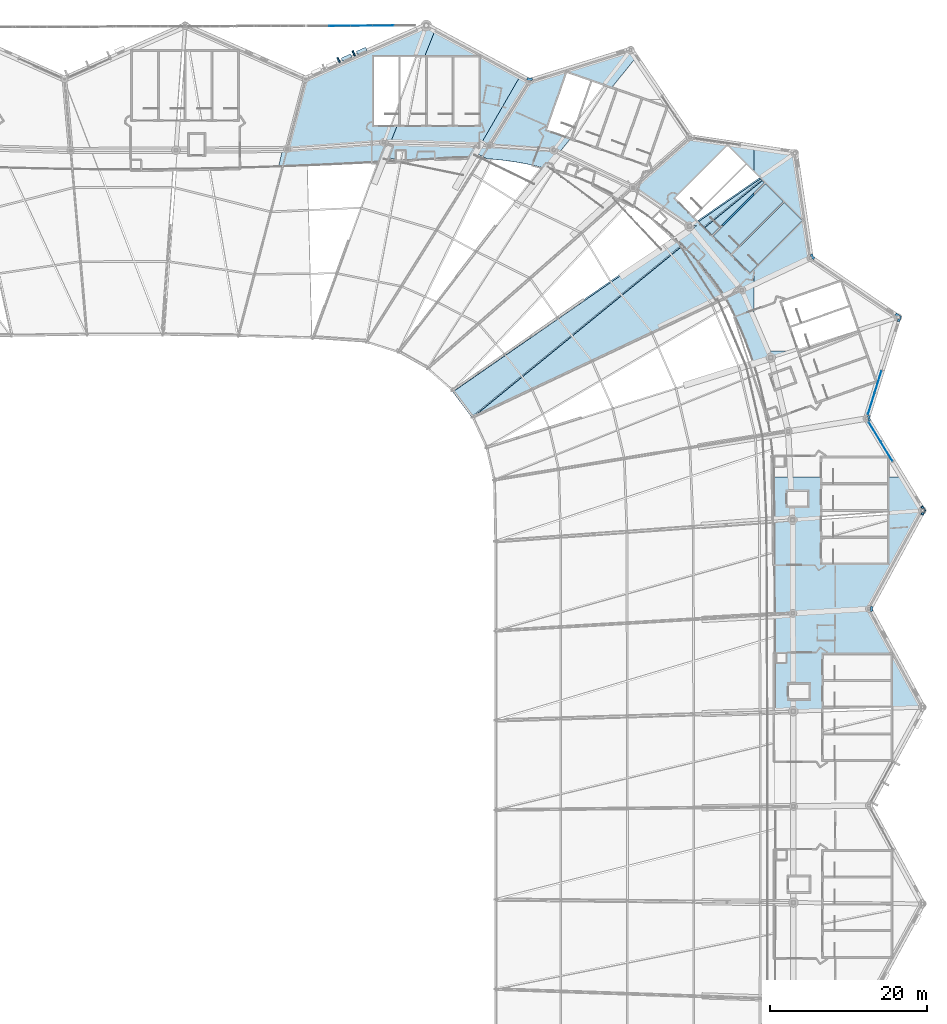
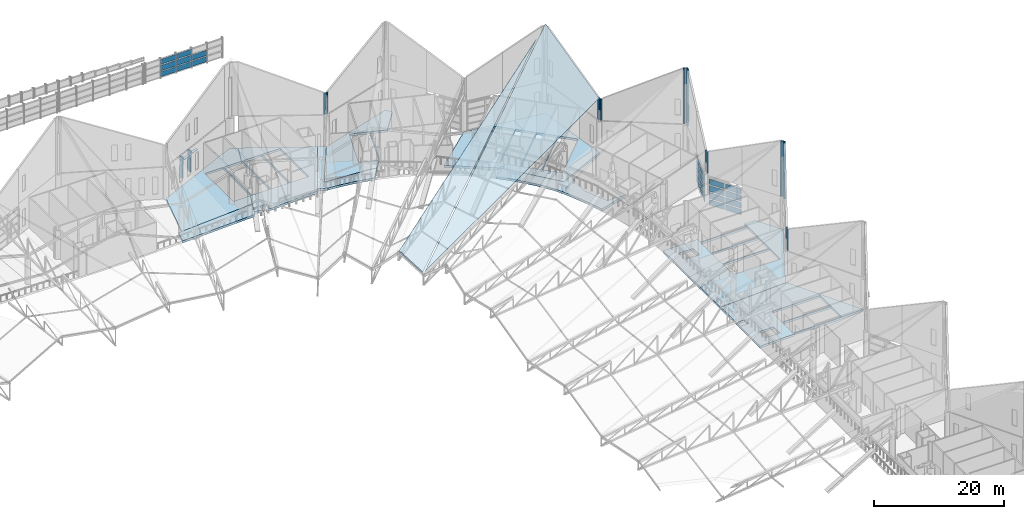
# One storey, part 240 of 344: 34 plates, 13 slabs, 3 elements without a shape of their own.
"""IFC4 building model written with IfcOpenShell, lengths in metres."""

import ifcopenshell
import ifcopenshell.guid

model = None  # the IFC model being written
_history = None  # IfcOwnerHistory: only IFC2X3 demands one
_inside = {}  # id of a spatial element -> (the spatial element, [elements in it])
_under = {}  # id of a project, library or spatial element -> (it, [spatial elements below it])
_declared = {}  # id of a project -> (the project, [libraries it declares])
_typed = {}  # id of a type object -> (the type object, [elements of that type])
_made_of = {}  # id of a material, layer set ... -> (it, [elements and type objects made of it])


def new_model(schema):
    """Start an empty IFC model of exactly this schema.

    Asked for "IFC4X3", IfcOpenShell would pick the latest addendum, in which some entities
    have other attributes; the version numbers below select the first issue.
    IFC2X3 requires an IfcOwnerHistory on every rooted entity: one is made here for all.
    """
    global model, _history
    if schema == "IFC4X3":
        model = ifcopenshell.file(schema_version=(4, 3, 0, 0))
    else:
        model = ifcopenshell.file(schema=schema)
    _inside.clear()
    _under.clear()
    _declared.clear()
    _typed.clear()
    _made_of.clear()
    _history = None
    if model.schema == "IFC2X3":
        org = make("IfcOrganization", Name="unknown")
        user = make(
            "IfcPersonAndOrganization",
            ThePerson=make("IfcPerson", FamilyName="unknown"),
            TheOrganization=org,
        )
        app = make(
            "IfcApplication",
            ApplicationDeveloper=org,
            Version="unknown",
            ApplicationFullName="unknown",
            ApplicationIdentifier="unknown",
        )
        _history = make(
            "IfcOwnerHistory",
            OwningUser=user,
            OwningApplication=app,
            ChangeAction="ADDED",
            CreationDate=0,
        )
    return model


def make(cls, **values):
    """One entity of the class cls with the attributes given. An attribute that is None is left unset."""
    return model.create_entity(
        cls, **{name: value for name, value in values.items() if value is not None}
    )


def rooted(cls, **values):
    """An entity with a GlobalId (a new one), such as an element, a storey or a relation."""
    return make(cls, GlobalId=ifcopenshell.guid.new(), OwnerHistory=_history, **values)


def si_unit(unit_type, name, prefix=None):
    """IfcSIUnit, for example si_unit("LENGTHUNIT", "METRE", prefix="MILLI")."""
    return make("IfcSIUnit", UnitType=unit_type, Prefix=prefix, Name=name)


def assignment(units):
    """IfcUnitAssignment: the units of a project."""
    return None if units is None else make("IfcUnitAssignment", Units=units)


def point(xyz):
    """IfcCartesianPoint."""
    return None if xyz is None else make("IfcCartesianPoint", Coordinates=xyz)


def direction(xyz):
    """IfcDirection."""
    return None if xyz is None else make("IfcDirection", DirectionRatios=xyz)


def frame(location, z_axis=None, x_axis=None):
    """IfcAxis2Placement3D, a coordinate frame: its origin and axes. An axis left out is left unset."""
    return make(
        "IfcAxis2Placement3D",
        Location=point(location),
        Axis=direction(z_axis),
        RefDirection=direction(x_axis),
    )


def frame_2d(location, x_axis=None):
    """IfcAxis2Placement2D, a coordinate frame in the plane: its origin and x axis."""
    return make(
        "IfcAxis2Placement2D", Location=point(location), RefDirection=direction(x_axis)
    )


def origin():
    """The frame at (0, 0, 0) with its axes left unset."""
    return frame((0.0, 0.0, 0.0))


def origin_2d():
    """The frame at (0, 0) in the plane with its x axis left unset."""
    return frame_2d((0.0, 0.0))


def place(relative_to, where):
    """IfcLocalPlacement: puts the frame where relative to a parent placement (None: the world)."""
    return make(
        "IfcLocalPlacement", PlacementRelTo=relative_to, RelativePlacement=where
    )


def context(
    kind, dimensions, precision=None, world=None, true_north=None, identifier=None
):
    """IfcGeometricRepresentationContext, for example the 3D "Model" context."""
    return make(
        "IfcGeometricRepresentationContext",
        ContextIdentifier=identifier,
        ContextType=kind,
        CoordinateSpaceDimension=dimensions,
        Precision=precision,
        WorldCoordinateSystem=world,
        TrueNorth=true_north,
    )


def subcontext(parent, identifier, kind, view, scale=None):
    """IfcGeometricRepresentationSubContext, for example "Body" below "Model"."""
    return make(
        "IfcGeometricRepresentationSubContext",
        ContextIdentifier=identifier,
        ContextType=kind,
        ParentContext=parent,
        TargetScale=scale,
        TargetView=view,
    )


def project(units=None, contexts=None):
    """IfcProject with its units and contexts."""
    return rooted(
        "IfcProject",
        Name="project",
        RepresentationContexts=contexts,
        UnitsInContext=assignment(units),
    )


def spatial(cls, under=None, at=None, **own):
    """A site, building, storey or space (cls), placed at a placement, below another one or the project."""
    s = rooted(cls, ObjectPlacement=at, **own)
    if under is not None:
        _under.setdefault(under.id(), (under, []))[1].append(s)
    return s


def polyline(points):
    """IfcPolyline through the points."""
    return make("IfcPolyline", Points=[point(p) for p in points])


def profile(cls, at=None, kind="AREA", **sizes):
    """A parametric profile (cls). Its sizes go by their IFC names, for example OverallWidth=200.0."""
    return make(cls, ProfileType=kind, Position=at, **sizes)


def rectangle(**sizes):
    """IfcRectangleProfileDef."""
    return profile("IfcRectangleProfileDef", **sizes)


def outline(outer, holes=None, kind="AREA"):
    """IfcArbitraryClosedProfileDef: a profile drawn as a closed curve; with holes, ...WithVoids."""
    if holes is None:
        return make("IfcArbitraryClosedProfileDef", ProfileType=kind, OuterCurve=outer)
    return make(
        "IfcArbitraryProfileDefWithVoids",
        ProfileType=kind,
        OuterCurve=outer,
        InnerCurves=holes,
    )


def extrude(swept, where, along, depth):
    """IfcExtrudedAreaSolid: the profile swept, set in the frame where, extruded along a direction by depth."""
    return make(
        "IfcExtrudedAreaSolid",
        SweptArea=swept,
        Position=where,
        ExtrudedDirection=direction(along),
        Depth=depth,
    )


def shape(context_of_items, identifier, shape_type, items):
    """IfcShapeRepresentation: the items that make up one representation, for example the "Body"."""
    return make(
        "IfcShapeRepresentation",
        ContextOfItems=context_of_items,
        RepresentationIdentifier=identifier,
        RepresentationType=shape_type,
        Items=items,
    )


def material(Name=None, Category=None):
    """IfcMaterial."""
    return make("IfcMaterial", Name=Name, Category=Category)


def layer(
    of_material, thickness, ventilated=None, Name=None, Category=None, Priority=None
):
    """IfcMaterialLayer: one layer of a wall or slab, of a material (None: an air gap)."""
    return make(
        "IfcMaterialLayer",
        Material=of_material,
        LayerThickness=thickness,
        IsVentilated=ventilated,
        Name=Name,
        Category=Category,
        Priority=Priority,
    )


def layer_set(layers, Name=None):
    """IfcMaterialLayerSet."""
    return make("IfcMaterialLayerSet", MaterialLayers=layers, LayerSetName=Name)


def made_of(thing, what):
    """Note that an element or type object is made of a material, layer set ...; save() writes the relation."""
    if what is not None:
        _made_of.setdefault(what.id(), (what, []))[1].append(thing)
    return thing


def type_object(cls, material=None, **own):
    """A type object (cls), such as IfcWallType, which elements share."""
    return made_of(rooted(cls, **own), material)


def element(
    cls,
    number,
    at=None,
    inside=None,
    cuts=None,
    type_object=None,
    material=None,
    context=None,
    identifier="Body",
    shape_type=None,
    held_by="IfcProductDefinitionShape",
    body=None,
    shapes=None,
    **own,
):
    """One element of the class cls, such as IfcWall. Its Tag is "e" and its number.

    at: its placement. inside: the storey or other place that contains it. cuts: it is an
    opening in that element (IfcRelVoidsElement). A single representation is given by context,
    identifier, shape_type and body (its items); several are given by shapes. held_by: the class
    of the entity that holds the representations. save() writes the other relations.
    """
    e = rooted(cls, Tag="e%d" % number, ObjectPlacement=at, **own)
    if body is not None:
        shapes = [shape(context, identifier, shape_type, body)]
    if shapes is not None:
        e.Representation = make(held_by, Representations=shapes)
    if inside is not None:
        _inside.setdefault(inside.id(), (inside, []))[1].append(e)
    if cuts is not None:
        rooted(
            "IfcRelVoidsElement", RelatingBuildingElement=cuts, RelatedOpeningElement=e
        )
    if type_object is not None:
        _typed.setdefault(type_object.id(), (type_object, []))[1].append(e)
    return made_of(e, material)


def aggregate(whole, parts):
    """IfcRelAggregates: a whole, such as a stair, and the parts it consists of."""
    return rooted("IfcRelAggregates", RelatingObject=whole, RelatedObjects=parts)


def save(model, path):
    """Write the relations noted so far, then the file.

    IfcRelAggregates (storeys below a building ...), IfcRelContainedInSpatialStructure (elements
    in a storey), IfcRelDefinesByType, IfcRelAssociatesMaterial and IfcRelDeclares: one each for
    every whole, place, type object, material and project.
    """
    for whole, parts in _under.values():
        aggregate(whole, parts)
    for where, things in _inside.values():
        rooted(
            "IfcRelContainedInSpatialStructure",
            RelatedElements=things,
            RelatingStructure=where,
        )
    for kind, things in _typed.values():
        rooted("IfcRelDefinesByType", RelatedObjects=things, RelatingType=kind)
    for what, things in _made_of.values():
        rooted("IfcRelAssociatesMaterial", RelatedObjects=things, RelatingMaterial=what)
    for by, libraries in _declared.values():
        rooted("IfcRelDeclares", RelatingContext=by, RelatedDefinitions=libraries)
    model.write(path)


model = new_model("IFC4")

# Units and contexts
model_context = context("Model", 3, precision=1e-05, world=origin(), true_north=direction((0.0, 1.0)))
body_context = subcontext(model_context, "Body", "Model", "MODEL_VIEW")
ifc_project = project(units=[si_unit("LENGTHUNIT", "METRE"), si_unit("AREAUNIT", "SQUARE_METRE"), si_unit("VOLUMEUNIT", "CUBIC_METRE"), si_unit("PLANEANGLEUNIT", "RADIAN"), si_unit("MASSUNIT", "GRAM", prefix="KILO")], contexts=[model_context])

# Site, building, storey
site_placement = place(None, origin())
site = spatial("IfcSite", under=ifc_project, at=site_placement, CompositionType="ELEMENT")
building_placement = place(site_placement, origin())
building = spatial("IfcBuilding", under=site, at=building_placement, Name="Meseta Stadium", CompositionType="ELEMENT")
storey_placement = place(building_placement, frame((0.0, 0.0, 24.0)))
storey = spatial("IfcBuildingStorey", under=building, at=storey_placement, Name="L04", CompositionType="ELEMENT", Elevation=24.0)

# Curtain wall, plates
ifc_material_1 = material(Name="Steel S355", Category="steel")
ifc_layer_1 = layer(ifc_material_1, 0.300048828125)
ifc_layer_set_1 = layer_set([ifc_layer_1], Name="Valley atrium curtain wall")
curtain_wall_type_1 = type_object("IfcCurtainWallType", Name="Valley atrium curtain wall", PredefinedType="NOTDEFINED", material=ifc_layer_set_1)
curtain_wall_1_placement = place(storey_placement, origin())
curtain_wall_1 = element("IfcCurtainWall", 1, at=curtain_wall_1_placement, inside=storey, type_object=curtain_wall_type_1, Name="Valley atrium glazing F08", PredefinedType="NOTDEFINED")
ifc_material_2 = material(Name="Glass", Category="glass")
ifc_layer_2 = layer(ifc_material_2, 0.035888671875)
ifc_layer_set_2 = layer_set([ifc_layer_2], Name="CW glass panel 36")
plate_type_1 = type_object("IfcPlateType", Name="CW glass panel 36", PredefinedType="CURTAIN_PANEL", material=ifc_layer_set_2)
plate_1_placement = place(storey_placement, frame((96.845458984375, 51.243896484375, 0.199951171875), z_axis=(0.0, 0.0, 1.0), x_axis=(-0.519362172313, 0.854554231147, 0.0)))
plate_1 = element("IfcPlate", 2, at=plate_1_placement, type_object=plate_type_1, Name="CWA panel 1.1", PredefinedType="CURTAIN_PANEL", context=body_context, shape_type="SweptSolid", body=[
    extrude(rectangle(XDim=2.77490234375, YDim=0.035888671875, at=origin_2d()), origin(), (0.0, 0.0, 1.0), 1.03759765625),
])
plate_2_placement = place(storey_placement, frame((96.845458984375, 51.243896484375, 1.4375), z_axis=(0.0, 0.0, 1.0), x_axis=(-0.519362172313, 0.854554231147, 0.0)))
plate_2 = element("IfcPlate", 3, at=plate_2_placement, type_object=plate_type_1, Name="CWA panel 1.2", PredefinedType="CURTAIN_PANEL", context=body_context, shape_type="SweptSolid", body=[
    extrude(rectangle(XDim=2.77490234375, YDim=0.035888671875, at=origin_2d()), origin(), (0.0, 0.0, 1.0), 1.137451171875),
])
plate_3_placement = place(storey_placement, frame((96.845458984375, 51.243896484375, 2.77490234375), z_axis=(0.0, 0.0, 1.0), x_axis=(-0.519362172313, 0.854554231147, 0.0)))
plate_3 = element("IfcPlate", 4, at=plate_3_placement, type_object=plate_type_1, Name="CWA panel 1.3", PredefinedType="CURTAIN_PANEL", context=body_context, shape_type="SweptSolid", body=[
    extrude(rectangle(XDim=2.77490234375, YDim=0.035888671875, at=origin_2d()), origin(), (0.0, 0.0, 1.0), 1.137451171875),
])
plate_4_placement = place(storey_placement, frame((96.845458984375, 51.243896484375, 4.112548828125), z_axis=(0.0, 0.0, 1.0), x_axis=(-0.519362172313, 0.854554231147, 0.0)))
plate_4 = element("IfcPlate", 5, at=plate_4_placement, type_object=plate_type_1, Name="CWA panel 1.4", PredefinedType="CURTAIN_PANEL", context=body_context, shape_type="SweptSolid", body=[
    extrude(rectangle(XDim=2.77490234375, YDim=0.035888671875, at=origin_2d()), origin(), (0.0, 0.0, 1.0), 1.03759765625),
])
plate_5_placement = place(storey_placement, frame((95.326416015625, 53.743408203125, 0.199951171875), z_axis=(0.0, 0.0, 1.0), x_axis=(-0.519362172313, 0.854554231147, 0.0)))
plate_5 = element("IfcPlate", 6, at=plate_5_placement, type_object=plate_type_1, Name="CWA panel 2.1", PredefinedType="CURTAIN_PANEL", context=body_context, shape_type="SweptSolid", body=[
    extrude(rectangle(XDim=2.77490234375, YDim=0.035888671875, at=origin_2d()), origin(), (0.0, 0.0, 1.0), 1.03759765625),
])
plate_6_placement = place(storey_placement, frame((95.326416015625, 53.743408203125, 1.4375), z_axis=(0.0, 0.0, 1.0), x_axis=(-0.519362172313, 0.854554231147, 0.0)))
plate_6 = element("IfcPlate", 7, at=plate_6_placement, type_object=plate_type_1, Name="CWA panel 2.2", PredefinedType="CURTAIN_PANEL", context=body_context, shape_type="SweptSolid", body=[
    extrude(rectangle(XDim=2.77490234375, YDim=0.035888671875, at=origin_2d()), origin(), (0.0, 0.0, 1.0), 1.137451171875),
])
plate_7_placement = place(storey_placement, frame((95.326416015625, 53.743408203125, 2.77490234375), z_axis=(0.0, 0.0, 1.0), x_axis=(-0.519362172313, 0.854554231147, 0.0)))
plate_7 = element("IfcPlate", 8, at=plate_7_placement, type_object=plate_type_1, Name="CWA panel 2.3", PredefinedType="CURTAIN_PANEL", context=body_context, shape_type="SweptSolid", body=[
    extrude(rectangle(XDim=2.77490234375, YDim=0.035888671875, at=origin_2d()), origin(), (0.0, 0.0, 1.0), 1.137451171875),
])
plate_8_placement = place(storey_placement, frame((95.326416015625, 53.743408203125, 4.112548828125), z_axis=(0.0, 0.0, 1.0), x_axis=(-0.519362172313, 0.854554231147, 0.0)))
plate_8 = element("IfcPlate", 9, at=plate_8_placement, type_object=plate_type_1, Name="CWA panel 2.4", PredefinedType="CURTAIN_PANEL", context=body_context, shape_type="SweptSolid", body=[
    extrude(rectangle(XDim=2.77490234375, YDim=0.035888671875, at=origin_2d()), origin(), (0.0, 0.0, 1.0), 1.03759765625),
])
aggregate(curtain_wall_1, [plate_1, plate_2, plate_3, plate_4, plate_5, plate_6, plate_7, plate_8])

curtain_wall_2_placement = place(storey_placement, origin())
curtain_wall_2 = element("IfcCurtainWall", 10, at=curtain_wall_2_placement, inside=storey, type_object=curtain_wall_type_1, Name="Valley atrium glazing F09", PredefinedType="NOTDEFINED")
plate_9_placement = place(storey_placement, frame((94.88427734375, 57.33935546875, 0.199951171875), z_axis=(0.0, 0.0, 1.0), x_axis=(0.296868987995, 0.95491821847, 0.0)))
plate_9 = element("IfcPlate", 11, at=plate_9_placement, type_object=plate_type_1, Name="CWA panel 1.1", PredefinedType="CURTAIN_PANEL", context=body_context, shape_type="SweptSolid", body=[
    extrude(rectangle(XDim=2.77490234375, YDim=0.035888671875, at=origin_2d()), origin(), (0.0, 0.0, 1.0), 1.03759765625),
])
plate_10_placement = place(storey_placement, frame((94.88427734375, 57.33935546875, 1.4375), z_axis=(0.0, 0.0, 1.0), x_axis=(0.296868987995, 0.95491821847, 0.0)))
plate_10 = element("IfcPlate", 12, at=plate_10_placement, type_object=plate_type_1, Name="CWA panel 1.2", PredefinedType="CURTAIN_PANEL", context=body_context, shape_type="SweptSolid", body=[
    extrude(rectangle(XDim=2.77490234375, YDim=0.035888671875, at=origin_2d()), origin(), (0.0, 0.0, 1.0), 1.137451171875),
])
plate_11_placement = place(storey_placement, frame((94.88427734375, 57.33935546875, 2.77490234375), z_axis=(0.0, 0.0, 1.0), x_axis=(0.296868987995, 0.95491821847, 0.0)))
plate_11 = element("IfcPlate", 13, at=plate_11_placement, type_object=plate_type_1, Name="CWA panel 1.3", PredefinedType="CURTAIN_PANEL", context=body_context, shape_type="SweptSolid", body=[
    extrude(rectangle(XDim=2.77490234375, YDim=0.035888671875, at=origin_2d()), origin(), (0.0, 0.0, 1.0), 1.137451171875),
])
plate_12_placement = place(storey_placement, frame((94.88427734375, 57.33935546875, 4.112548828125), z_axis=(0.0, 0.0, 1.0), x_axis=(0.296868987995, 0.95491821847, 0.0)))
plate_12 = element("IfcPlate", 14, at=plate_12_placement, type_object=plate_type_1, Name="CWA panel 1.4", PredefinedType="CURTAIN_PANEL", context=body_context, shape_type="SweptSolid", body=[
    extrude(rectangle(XDim=2.77490234375, YDim=0.035888671875, at=origin_2d()), origin(), (0.0, 0.0, 1.0), 1.03759765625),
])
plate_13_placement = place(storey_placement, frame((95.752685546875, 60.13232421875, 0.199951171875), z_axis=(0.0, 0.0, 1.0), x_axis=(0.296868987995, 0.95491821847, 0.0)))
plate_13 = element("IfcPlate", 15, at=plate_13_placement, type_object=plate_type_1, Name="CWA panel 2.1", PredefinedType="CURTAIN_PANEL", context=body_context, shape_type="SweptSolid", body=[
    extrude(rectangle(XDim=2.77490234375, YDim=0.035888671875, at=origin_2d()), origin(), (0.0, 0.0, 1.0), 1.03759765625),
])
plate_14_placement = place(storey_placement, frame((95.752685546875, 60.13232421875, 1.4375), z_axis=(0.0, 0.0, 1.0), x_axis=(0.296868987995, 0.95491821847, 0.0)))
plate_14 = element("IfcPlate", 16, at=plate_14_placement, type_object=plate_type_1, Name="CWA panel 2.2", PredefinedType="CURTAIN_PANEL", context=body_context, shape_type="SweptSolid", body=[
    extrude(rectangle(XDim=2.77490234375, YDim=0.035888671875, at=origin_2d()), origin(), (0.0, 0.0, 1.0), 1.137451171875),
])
plate_15_placement = place(storey_placement, frame((95.752685546875, 60.13232421875, 2.77490234375), z_axis=(0.0, 0.0, 1.0), x_axis=(0.296868987995, 0.95491821847, 0.0)))
plate_15 = element("IfcPlate", 17, at=plate_15_placement, type_object=plate_type_1, Name="CWA panel 2.3", PredefinedType="CURTAIN_PANEL", context=body_context, shape_type="SweptSolid", body=[
    extrude(rectangle(XDim=2.77490234375, YDim=0.035888671875, at=origin_2d()), origin(), (0.0, 0.0, 1.0), 1.137451171875),
])
plate_16_placement = place(storey_placement, frame((95.752685546875, 60.13232421875, 4.112548828125), z_axis=(0.0, 0.0, 1.0), x_axis=(0.296868987995, 0.95491821847, 0.0)))
plate_16 = element("IfcPlate", 18, at=plate_16_placement, type_object=plate_type_1, Name="CWA panel 2.4", PredefinedType="CURTAIN_PANEL", context=body_context, shape_type="SweptSolid", body=[
    extrude(rectangle(XDim=2.77490234375, YDim=0.035888671875, at=origin_2d()), origin(), (0.0, 0.0, 1.0), 1.03759765625),
])
aggregate(curtain_wall_2, [plate_9, plate_10, plate_11, plate_12, plate_13, plate_14, plate_15, plate_16])

ifc_material_3 = material(Name="Aluminium", Category="aluminium")
ifc_layer_3 = layer(ifc_material_3, 0.199951171875)
ifc_layer_set_3 = layer_set([ifc_layer_3], Name="Gable glazing curtain wall")
curtain_wall_type_2 = type_object("IfcCurtainWallType", Name="Gable glazing curtain wall", PredefinedType="NOTDEFINED", material=ifc_layer_set_3)
curtain_wall_3_placement = place(storey_placement, origin())
curtain_wall_3 = element("IfcCurtainWall", 19, at=curtain_wall_3_placement, inside=storey, type_object=curtain_wall_type_2, Name="Gable glazing north lower bay 01", PredefinedType="NOTDEFINED")
plate_17_placement = place(storey_placement, frame((32.851806640625, 105.37890625, 17.75), z_axis=(0.0, 0.0, 1.0), x_axis=(-0.999992598213, -0.003847534181, 0.0)))
plate_17 = element("IfcPlate", 20, at=plate_17_placement, type_object=plate_type_1, Name="CWG panel 2.1", PredefinedType="CURTAIN_PANEL", context=body_context, shape_type="SweptSolid", body=[
    extrude(rectangle(XDim=2.706298828125, YDim=0.035888671875, at=origin_2d()), origin(), (0.0, 0.0, 1.0), 0.986572265625),
])
plate_18_placement = place(storey_placement, frame((32.851806640625, 105.37890625, 18.88671875), z_axis=(0.0, 0.0, 1.0), x_axis=(-0.999992598213, -0.003847534181, 0.0)))
plate_18 = element("IfcPlate", 21, at=plate_18_placement, type_object=plate_type_1, Name="CWG panel 2.2", PredefinedType="CURTAIN_PANEL", context=body_context, shape_type="SweptSolid", body=[
    extrude(rectangle(XDim=2.706298828125, YDim=0.035888671875, at=origin_2d()), origin(), (0.0, 0.0, 1.0), 1.061767578125),
])
plate_19_placement = place(storey_placement, frame((30.08544921875, 105.3681640625, 17.75), z_axis=(0.0, 0.0, 1.0), x_axis=(-0.999992598213, -0.003847534181, 0.0)))
plate_19 = element("IfcPlate", 22, at=plate_19_placement, type_object=plate_type_1, Name="CWG panel 3.1", PredefinedType="CURTAIN_PANEL", context=body_context, shape_type="SweptSolid", body=[
    extrude(rectangle(XDim=2.706298828125, YDim=0.035888671875, at=origin_2d()), origin(), (0.0, 0.0, 1.0), 0.986572265625),
])
plate_20_placement = place(storey_placement, frame((30.08544921875, 105.3681640625, 18.88671875), z_axis=(0.0, 0.0, 1.0), x_axis=(-0.999992598213, -0.003847534181, 0.0)))
plate_20 = element("IfcPlate", 23, at=plate_20_placement, type_object=plate_type_1, Name="CWG panel 3.2", PredefinedType="CURTAIN_PANEL", context=body_context, shape_type="SweptSolid", body=[
    extrude(rectangle(XDim=2.706298828125, YDim=0.035888671875, at=origin_2d()), origin(), (0.0, 0.0, 1.0), 1.061767578125),
])
plate_21_placement = place(storey_placement, frame((30.08544921875, 105.3681640625, 20.09814453125), z_axis=(0.0, 0.0, 1.0), x_axis=(-0.999992598213, -0.003847534181, 0.0)))
plate_21 = element("IfcPlate", 24, at=plate_21_placement, type_object=plate_type_1, Name="CWG panel 3.3", PredefinedType="CURTAIN_PANEL", context=body_context, shape_type="SweptSolid", body=[
    extrude(rectangle(XDim=2.706298828125, YDim=0.035888671875, at=origin_2d()), origin(), (0.0, 0.0, 1.0), 0.986572265625),
])
plate_22_placement = place(storey_placement, frame((27.319091796875, 105.357666015625, 17.75), z_axis=(0.0, 0.0, 1.0), x_axis=(-0.999992598213, -0.003847534181, 0.0)))
plate_22 = element("IfcPlate", 25, at=plate_22_placement, type_object=plate_type_1, Name="CWG panel 4.1", PredefinedType="CURTAIN_PANEL", context=body_context, shape_type="SweptSolid", body=[
    extrude(rectangle(XDim=2.706298828125, YDim=0.035888671875, at=origin_2d()), origin(), (0.0, 0.0, 1.0), 0.986572265625),
])
plate_23_placement = place(storey_placement, frame((27.319091796875, 105.357666015625, 18.88671875), z_axis=(0.0, 0.0, 1.0), x_axis=(-0.999992598213, -0.003847534181, 0.0)))
plate_23 = element("IfcPlate", 26, at=plate_23_placement, type_object=plate_type_1, Name="CWG panel 4.2", PredefinedType="CURTAIN_PANEL", context=body_context, shape_type="SweptSolid", body=[
    extrude(rectangle(XDim=2.706298828125, YDim=0.035888671875, at=origin_2d()), origin(), (0.0, 0.0, 1.0), 1.061767578125),
])
plate_24_placement = place(storey_placement, frame((27.319091796875, 105.357666015625, 20.09814453125), z_axis=(0.0, 0.0, 1.0), x_axis=(-0.999992598213, -0.003847534181, 0.0)))
plate_24 = element("IfcPlate", 27, at=plate_24_placement, type_object=plate_type_1, Name="CWG panel 4.3", PredefinedType="CURTAIN_PANEL", context=body_context, shape_type="SweptSolid", body=[
    extrude(rectangle(XDim=2.706298828125, YDim=0.035888671875, at=origin_2d()), origin(), (0.0, 0.0, 1.0), 0.986572265625),
])
aggregate(curtain_wall_3, [plate_17, plate_18, plate_19, plate_20, plate_21, plate_22, plate_23, plate_24])

# Slabs
ifc_material_4 = material(Name="Concrete C40/50", Category="concrete")
ifc_layer_4 = layer(ifc_material_4, 0.39990234375)
ifc_layer_set_4 = layer_set([ifc_layer_4], Name="Floor slab 400")
slab_type_1 = type_object("IfcSlabType", Name="Floor slab 400", PredefinedType="FLOOR", material=ifc_layer_set_4)
slab_1_placement = place(storey_placement, frame((0.0, 0.0, -0.39990234375)))
element("IfcSlab", 28, at=slab_1_placement, inside=storey, type_object=slab_type_1, Name="Floor slab L04 sector 00 panel 05", PredefinedType="FLOOR", context=body_context, shape_type="SweptSolid", body=[
    extrude(outline(polyline([(94.70361328125, 31.059326171875), (82.53759765625, 30.392333984375), (82.56005859375, 24.32275390625), (82.577392578125, 18.24267578125), (88.800048828125, 18.447509765625), (88.800048828125, 18.64990234375), (94.9599609375, 18.64990234375), (101.340087890625, 18.85986328125), (94.70361328125, 31.059326171875)]), holes=[polyline([(84.39990234375, 19.800048828125), (84.39990234375, 21.699951171875), (87.0, 21.699951171875), (87.0, 19.800048828125), (84.39990234375, 19.800048828125)]), polyline([(84.050048828125, 25.60009765625), (84.050048828125, 24.39990234375), (82.85009765625, 24.39990234375), (82.85009765625, 25.60009765625), (84.050048828125, 25.60009765625)]), polyline([(88.800048828125, 22.050048828125), (97.39990234375, 22.050048828125), (97.39990234375, 18.85009765625), (88.800048828125, 18.85009765625), (88.800048828125, 22.050048828125)]), polyline([(88.800048828125, 25.449951171875), (97.39990234375, 25.449951171875), (97.39990234375, 22.25), (88.800048828125, 22.25), (88.800048828125, 25.449951171875)])]), origin(), (0.0, 0.0, 1.0), 0.39990234375),
])
slab_2_placement = place(storey_placement, frame((0.0, 0.0, -0.39990234375)))
element("IfcSlab", 29, at=slab_2_placement, inside=storey, type_object=slab_type_1, Name="Floor slab L04 sector 07 panel 03", PredefinedType="FLOOR", context=body_context, shape_type="SweptSolid", body=[
    extrude(outline(polyline([(80.94970703125, 80.0), (80.6669921875, 80.0), (77.0419921875, 76.375), (74.779296875, 78.6376953125), (76.141357421875, 80.0), (75.858642578125, 80.0), (74.6376953125, 78.779296875), (72.375, 81.0419921875), (79.02197265625, 87.688720703125), (80.0, 86.710693359375), (80.0, 89.94189453125), (71.856689453125, 91.15087890625), (64.6220703125, 84.79248046875), (71.775390625, 79.888916015625), (71.935791015625, 80.0), (72.741455078125, 80.0), (72.06103515625, 79.54052734375), (78.4453125, 71.756103515625), (80.0, 72.48828125), (80.0, 74.524658203125), (79.4462890625, 73.970947265625), (77.183349609375, 76.233642578125), (80.94970703125, 80.0)]), holes=[polyline([(69.970947265625, 83.4462890625), (76.61767578125, 90.093017578125), (78.880615234375, 87.830078125), (72.233642578125, 81.183349609375), (69.970947265625, 83.4462890625)])]), origin(), (0.0, 0.0, 1.0), 0.39990234375),
])
slab_3_placement = place(storey_placement, frame((0.0, 0.0, -0.39990234375)))
element("IfcSlab", 30, at=slab_3_placement, inside=storey, type_object=slab_type_1, Name="Floor slab L04 sector 07 panel 04", PredefinedType="FLOOR", context=body_context, shape_type="SweptSolid", body=[
    extrude(outline(polyline([(79.852783203125, 62.399658203125), (84.956787109375, 64.0), (81.772705078125, 64.0), (80.0, 68.13232421875), (80.0, 72.48828125), (78.4453125, 71.756103515625), (72.06103515625, 79.54052734375), (70.034423828125, 78.172607421875), (71.172119140625, 77.0810546875), (72.264892578125, 75.945068359375), (73.31103515625, 74.76611328125), (74.30859375, 73.546142578125), (75.256103515625, 72.287353515625), (76.15234375, 70.99169921875), (76.904296875, 69.6201171875), (77.5771484375, 68.21044921875), (78.208984375, 66.782470703125), (78.799072265625, 65.337158203125), (79.347412109375, 63.8759765625), (79.852783203125, 62.399658203125)])), origin(), (0.0, 0.0, 1.0), 0.39990234375),
])
slab_4_placement = place(storey_placement, frame((0.0, 0.0, -0.39990234375)))
element("IfcSlab", 31, at=slab_4_placement, inside=storey, type_object=slab_type_1, Name="Floor slab L04 sector 07 panel 05", PredefinedType="FLOOR", context=body_context, shape_type="SweptSolid", body=[
    extrude(outline(polyline([(75.858642578125, 80.0), (76.141357421875, 80.0), (80.0, 83.858642578125), (80.0, 84.141357421875), (75.858642578125, 80.0)])), origin(), (0.0, 0.0, 1.0), 0.39990234375),
])
slab_5_placement = place(storey_placement, frame((0.0, 0.0, -0.39990234375)))
element("IfcSlab", 32, at=slab_5_placement, inside=storey, type_object=slab_type_1, Name="Floor slab L04 sector 07 panel 06", PredefinedType="FLOOR", context=body_context, shape_type="SweptSolid", body=[
    extrude(outline(polyline([(86.093017578125, 80.61767578125), (80.0, 74.524658203125), (80.0, 72.48828125), (87.15087890625, 75.856689453125), (85.173583984375, 89.173583984375), (80.0, 89.94189453125), (80.0, 86.710693359375), (81.28466796875, 85.426025390625), (80.0, 84.141357421875), (80.0, 83.858642578125), (81.426025390625, 85.28466796875), (83.688720703125, 83.02197265625), (80.6669921875, 80.0), (80.94970703125, 80.0), (83.830078125, 82.880615234375), (86.093017578125, 80.61767578125)])), origin(), (0.0, 0.0, 1.0), 0.39990234375),
])
slab_6_placement = place(storey_placement, frame((0.0, 0.0, -0.39990234375)))
element("IfcSlab", 33, at=slab_6_placement, inside=storey, type_object=slab_type_1, Name="Floor slab L04 sector 07 panel 09", PredefinedType="FLOOR", context=body_context, shape_type="SweptSolid", body=[
    extrude(outline(polyline([(94.693115234375, 31.07861328125), (94.60009765625, 31.25), (101.39990234375, 43.75), (98.81689453125, 48.0), (97.0, 48.0), (97.0, 47.25), (88.60009765625, 47.25), (88.60009765625, 48.0), (82.44482421875, 48.0), (82.47802734375, 42.55859375), (82.5, 38.5068359375), (82.53759765625, 30.412353515625), (94.693115234375, 31.07861328125)]), holes=[polyline([(97.0, 37.050048828125), (88.60009765625, 37.050048828125), (88.60009765625, 40.25), (97.0, 40.25), (97.0, 37.050048828125)]), polyline([(88.60009765625, 40.449951171875), (88.60009765625, 43.64990234375), (97.0, 43.64990234375), (97.0, 40.449951171875), (88.60009765625, 40.449951171875)]), polyline([(97.0, 47.050048828125), (97.0, 43.85009765625), (88.60009765625, 43.85009765625), (88.60009765625, 47.050048828125), (97.0, 47.050048828125)]), polyline([(86.800048828125, 46.199951171875), (86.800048828125, 44.300048828125), (84.199951171875, 44.300048828125), (84.199951171875, 46.199951171875), (86.800048828125, 46.199951171875)])]), origin(), (0.0, 0.0, 1.0), 0.39990234375),
])
slab_7_placement = place(storey_placement, frame((0.0, 0.0, -0.39990234375)))
element("IfcSlab", 34, at=slab_7_placement, inside=storey, type_object=slab_type_1, Name="Floor slab L04 sector 14 panel 05", PredefinedType="FLOOR", context=body_context, shape_type="SweptSolid", body=[
    extrude(outline(polyline([(30.542236328125, 87.864013671875), (32.769287109375, 87.978759765625), (33.779541015625, 90.524658203125), (32.944091796875, 90.551025390625), (20.649658203125, 89.65625), (20.059814453125, 89.651611328125), (19.518310546875, 87.37744140625), (21.70947265625, 87.461669921875), (23.906982421875, 87.552734375), (26.111328125, 87.650634765625), (28.322998046875, 87.75439453125), (30.542236328125, 87.864013671875)])), origin(), (0.0, 0.0, 1.0), 0.39990234375),
])
slab_8_placement = place(storey_placement, frame((0.0, 0.0, -0.39990234375)))
element("IfcSlab", 35, at=slab_8_placement, inside=storey, type_object=slab_type_1, Name="Floor slab L04 sector 14 panel 06", PredefinedType="FLOOR", context=body_context, shape_type="SweptSolid", body=[
    extrude(outline(polyline([(38.09521484375, 101.39990234375), (39.443603515625, 104.798095703125), (38.333251953125, 105.39990234375), (23.0, 98.60009765625), (20.649658203125, 89.65625), (32.944091796875, 90.551025390625), (33.779541015625, 90.524658203125), (34.642822265625, 92.699951171875), (31.63330078125, 92.699951171875), (31.63330078125, 101.39990234375), (34.833251953125, 101.39990234375), (34.833251953125, 93.179931640625), (35.033203125, 93.683837890625), (35.033203125, 101.39990234375), (38.09521484375, 101.39990234375)])), origin(), (0.0, 0.0, 1.0), 0.39990234375),
])
slab_9_placement = place(storey_placement, frame((0.0, 0.0, -0.39990234375)))
element("IfcSlab", 36, at=slab_9_placement, inside=storey, type_object=slab_type_1, Name="Floor slab L04 sector 14 panel 07", PredefinedType="FLOOR", context=body_context, shape_type="SweptSolid", body=[
    extrude(outline(polyline([(32.769287109375, 87.978759765625), (32.980712890625, 88.511474609375), (33.06201171875, 88.67822265625), (34.4833984375, 88.388427734375), (34.4833984375, 89.501220703125), (35.683349609375, 89.501220703125), (35.683349609375, 88.301025390625), (34.912109375, 88.301025390625), (35.716552734375, 88.13720703125), (37.247802734375, 88.22119140625), (39.499267578125, 88.348388671875), (41.073486328125, 88.476806640625), (42.652099609375, 88.54150390625), (44.232177734375, 88.542236328125), (50.244384765625, 98.943359375), (39.443603515625, 104.798095703125), (38.09521484375, 101.39990234375), (38.2333984375, 101.39990234375), (38.2333984375, 92.699951171875), (35.033203125, 92.699951171875), (35.033203125, 93.683837890625), (34.833251953125, 93.179931640625), (34.833251953125, 92.699951171875), (34.642822265625, 92.699951171875), (32.769287109375, 87.978759765625)]), holes=[polyline([(38.433349609375, 92.699951171875), (38.433349609375, 101.39990234375), (41.63330078125, 101.39990234375), (41.63330078125, 92.699951171875), (38.433349609375, 92.699951171875)]), polyline([(41.833251953125, 92.699951171875), (41.833251953125, 101.39990234375), (45.033203125, 101.39990234375), (45.033203125, 92.699951171875), (41.833251953125, 92.699951171875)])]), origin(), (0.0, 0.0, 1.0), 0.39990234375),
])
slab_10_placement = place(storey_placement, frame((0.0, 0.0, -0.39990234375)))
element("IfcSlab", 37, at=slab_10_placement, inside=storey, type_object=slab_type_1, Name="Floor slab L04 sector 14 panel 08", PredefinedType="FLOOR", context=body_context, shape_type="SweptSolid", body=[
    extrude(outline(polyline([(44.232177734375, 88.542236328125), (44.232421875, 88.542236328125), (44.50439453125, 89.01318359375), (44.609619140625, 89.165771484375), (46.056396484375, 88.459716796875), (47.38671875, 88.352783203125), (48.95556640625, 88.162841796875), (50.515380859375, 87.90966796875), (52.06396484375, 87.593994140625), (53.58740234375, 87.21875), (55.224365234375, 89.246826171875), (54.523193359375, 89.579345703125), (46.333251953125, 90.126220703125), (51.44140625, 98.29443359375), (50.244384765625, 98.943359375), (44.232177734375, 88.542236328125)])), origin(), (0.0, 0.0, 1.0), 0.39990234375),
])
slab_11_placement = place(storey_placement, frame((0.0, 0.0, -0.39990234375)))
element("IfcSlab", 38, at=slab_11_placement, inside=storey, type_object=slab_type_1, Name="Floor slab L04 sector 14 panel 09", PredefinedType="FLOOR", context=body_context, shape_type="SweptSolid", body=[
    extrude(outline(polyline([(59.399169921875, 98.2841796875), (61.8310546875, 97.43310546875), (64.961669921875, 101.312255859375), (64.297607421875, 102.291015625), (51.44140625, 98.29443359375), (46.333251953125, 90.126220703125), (54.523193359375, 89.579345703125), (55.224365234375, 89.246826171875), (57.011962890625, 91.4619140625), (59.399169921875, 98.2841796875)]), holes=[polyline([(56.667236328125, 91.082275390625), (53.646728515625, 92.13916015625), (56.18994140625, 99.406982421875), (59.21044921875, 98.35009765625), (56.667236328125, 91.082275390625)])]), origin(), (0.0, 0.0, 1.0), 0.39990234375),
])

# Plates
ifc_material_5 = material(Name="White precast concrete C40/50", Category="concrete")
ifc_layer_5 = layer(ifc_material_5, 0.320068359375)
ifc_layer_set_5 = layer_set([ifc_layer_5], Name="Fold closer plate 320")
plate_type_2 = type_object("IfcPlateType", Name="Fold closer plate 320", PredefinedType="USERDEFINED", material=ifc_layer_set_5)
plate_25_placement = place(storey_placement, frame((0.0, 0.0, 6.0)))
element("IfcPlate", 39, at=plate_25_placement, inside=storey, type_object=plate_type_2, Name="Pleated fascia fold closer L04 F06", ObjectType="CLADDING", PredefinedType="USERDEFINED", context=body_context, shape_type="SweptSolid", body=[
    extrude(outline(polyline([(94.732666015625, 31.090087890625), (94.85009765625, 30.8740234375), (95.131103515625, 31.02685546875), (95.009765625, 31.25), (95.131103515625, 31.47314453125), (94.85009765625, 31.6259765625), (94.732666015625, 31.409912109375), (94.7529296875, 31.40966796875), (94.760009765625, 31.40087890625), (94.760009765625, 31.10009765625), (94.75390625, 31.0908203125), (94.732666015625, 31.090087890625)])), origin(), (0.0, 0.0, 1.0), 3.978515625),
])
plate_26_placement = place(storey_placement, frame((0.0, 0.0, 6.0)))
element("IfcPlate", 40, at=plate_26_placement, inside=storey, type_object=plate_type_2, Name="Pleated fascia fold closer L04 F07", ObjectType="CLADDING", PredefinedType="USERDEFINED", context=body_context, shape_type="SweptSolid", body=[
    extrude(outline(polyline([(101.331298828125, 43.5400390625), (101.1962890625, 43.291748046875), (101.477294921875, 43.138916015625), (101.815185546875, 43.760009765625), (101.4482421875, 44.36376953125), (101.1748046875, 44.197509765625), (101.319091796875, 43.9599609375), (101.60009765625, 43.9599609375), (101.6083984375, 43.95556640625), (101.610107421875, 43.549072265625), (101.607177734375, 43.54296875), (101.60009765625, 43.5400390625), (101.331298828125, 43.5400390625)])), origin(), (0.0, 0.0, 1.0), 10.436767578125),
])
plate_27_placement = place(storey_placement, frame((0.0, 0.0, 6.0)))
element("IfcPlate", 41, at=plate_27_placement, inside=storey, type_object=plate_type_2, Name="Pleated fascia fold closer L04 F08", ObjectType="CLADDING", PredefinedType="USERDEFINED", context=body_context, shape_type="SweptSolid", body=[
    extrude(outline(polyline([(94.4384765625, 55.281494140625), (94.56201171875, 55.078125), (94.83544921875, 55.244384765625), (94.686279296875, 55.48974609375), (94.771728515625, 55.76416015625), (94.46630859375, 55.859130859375), (94.385986328125, 55.6015625), (94.4453125, 55.601318359375), (94.4541015625, 55.593505859375), (94.454345703125, 55.29052734375), (94.44921875, 55.28271484375), (94.4384765625, 55.281494140625)])), origin(), (0.0, 0.0, 1.0), 3.9658203125),
])
plate_28_placement = place(storey_placement, frame((0.0, 0.0, 6.0)))
element("IfcPlate", 42, at=plate_28_placement, inside=storey, type_object=plate_type_2, Name="Pleated fascia fold closer L04 F09", ObjectType="CLADDING", PredefinedType="USERDEFINED", context=body_context, shape_type="SweptSolid", body=[
    extrude(outline(polyline([(98.714111328125, 68.445556640625), (98.07958984375, 68.8759765625), (97.89990234375, 68.611083984375), (98.0810546875, 68.48828125), (98.082275390625, 68.502197265625), (98.091064453125, 68.507568359375), (98.4912109375, 68.507568359375), (98.498291015625, 68.50439453125), (98.501220703125, 68.498291015625), (98.50048828125, 68.093505859375), (98.4912109375, 68.08740234375), (98.267578125, 68.08740234375), (98.180908203125, 67.808349609375), (98.486572265625, 67.71337890625), (98.714111328125, 68.445556640625)])), origin(), (0.0, 0.0, 1.0), 10.4326171875),
])
plate_29_placement = place(storey_placement, frame((0.0, 0.0, 6.0)))
element("IfcPlate", 43, at=plate_29_placement, inside=storey, type_object=plate_type_2, Name="Pleated fascia fold closer L04 F10", ObjectType="CLADDING", PredefinedType="USERDEFINED", context=body_context, shape_type="SweptSolid", body=[
    extrude(outline(polyline([(87.310791015625, 75.79638671875), (87.54541015625, 75.63720703125), (87.72509765625, 75.902099609375), (87.483642578125, 76.06591796875), (87.44091796875, 76.354248046875), (87.12451171875, 76.30712890625), (87.16748046875, 76.016845703125), (87.30078125, 76.016845703125), (87.31005859375, 76.010498046875), (87.310791015625, 75.79638671875)])), origin(), (0.0, 0.0, 1.0), 3.949951171875),
])
plate_30_placement = place(storey_placement, frame((0.0, 0.0, 6.0)))
element("IfcPlate", 44, at=plate_30_placement, inside=storey, type_object=plate_type_2, Name="Pleated fascia fold closer L04 F14", ObjectType="CLADDING", PredefinedType="USERDEFINED", context=body_context, shape_type="SweptSolid", body=[
    extrude(outline(polyline([(51.06494140625, 98.5439453125), (51.306396484375, 98.4130859375), (51.3076171875, 98.424072265625), (51.3154296875, 98.429443359375), (51.5673828125, 98.429443359375), (51.576416015625, 98.42138671875), (51.576416015625, 98.37841796875), (51.859130859375, 98.46630859375), (51.76416015625, 98.771728515625), (51.4794921875, 98.683349609375), (51.217529296875, 98.8251953125), (51.06494140625, 98.5439453125)])), origin(), (0.0, 0.0, 1.0), 3.9541015625),
])
ifc_material_6 = material(Name="White precast concrete C40/50", Category="concrete")
ifc_layer_6 = layer(ifc_material_6, 0.080078125)
ifc_layer_set_6 = layer_set([ifc_layer_6], Name="Louvre hood 1300x450")
plate_type_3 = type_object("IfcPlateType", Name="Louvre hood 1300x450", PredefinedType="USERDEFINED", material=ifc_layer_set_6)
for number, where, z_axis, x_axis, name in (
    (45, (28.191650390625, 101.323486328125, 4.25), (0.0, 0.0, 1.0), (-0.914139046248, -0.40540079443, 0.0), "Louvre hood L04 F16"),
    (46, (30.111328125, 102.1748046875, 4.25), (0.0, 0.0, 1.0), (-0.914139046248, -0.40540079443, 0.0), "Louvre hood L04 F16"),
):
    element("IfcPlate", number, at=place(storey_placement, frame(where, z_axis=z_axis, x_axis=x_axis)), inside=storey, type_object=plate_type_3, Name=name, ObjectType="LOUVRE", PredefinedType="USERDEFINED", context=body_context, shape_type="SweptSolid", body=[
        extrude(rectangle(XDim=1.300048828125, YDim=0.449951171875, at=origin_2d()), origin(), (0.0, 0.0, 1.0), 0.080078125),
    ])
ifc_material_7 = material(Name="Precast concrete C40/50, terracotta pigment", Category="masonry")
ifc_layer_7 = layer(ifc_material_7, 0.199951171875)
ifc_layer_set_7 = layer_set([ifc_layer_7], Name="Precast concrete C40/50, terracotta pigment")
plate_type_4 = type_object("IfcPlateType", Name="Precast fin 200x700", PredefinedType="USERDEFINED", material=ifc_layer_set_7)
for number, where, z_axis, x_axis, name in (
    (47, (27.18115234375, 101.01220703125, 0.9501953125), (0.0, 0.0, 1.0), (0.914139367606, 0.405400069798, 0.0), "Precast fin L04 F16.2"),
    (48, (29.100830078125, 101.863525390625, 0.9501953125), (0.0, 0.0, 1.0), (0.914139367606, 0.405400069798, 0.0), "Precast fin L04 F16.3"),
):
    element("IfcPlate", number, at=place(storey_placement, frame(where, z_axis=z_axis, x_axis=x_axis)), inside=storey, type_object=plate_type_4, Name=name, ObjectType="FIN", PredefinedType="USERDEFINED", context=body_context, shape_type="SweptSolid", body=[
        extrude(rectangle(XDim=0.199951171875, YDim=0.699951171875, at=origin_2d()), origin(), (0.0, 0.0, 1.0), 4.050048828125),
    ])

# Slabs
ifc_material_8 = material(Name="Precast concrete C40/50", Category="concrete")
ifc_layer_8 = layer(ifc_material_8, 0.300048828125)
ifc_layer_set_8 = layer_set([ifc_layer_8], Name="Roof plate 300")
slab_type_2 = type_object("IfcSlabType", Name="Roof plate 300", PredefinedType="ROOF", material=ifc_layer_set_8)
slab_12_placement = place(storey_placement, frame((82.575927734375, 87.153564453125, 16.297607421875), z_axis=(0.227186476759, -0.567366625175, 0.791505791144), x_axis=(-0.754041053193, -0.616824929134, -0.225719066315)))
element("IfcSlab", 49, at=slab_12_placement, inside=storey, type_object=slab_type_2, Name="Roof panel RP-11 A", PredefinedType="ROOF", context=body_context, shape_type="SweptSolid", body=[
    extrude(outline(polyline([(0.0, 0.0), (51.08024476834806, 8.881784197001252e-16), (50.244403565472346, -4.870856657410005), (0.0, 0.0)])), origin(), (0.0, 0.0, -1.0), 0.300048828125),
])
slab_13_placement = place(storey_placement, frame((87.15087890625, 75.856689453125, 10.199951171875), z_axis=(0.094171350472, -0.441622265423, 0.892245219339), x_axis=(-0.898684940349, -0.423336113507, -0.114681790143)))
element("IfcSlab", 50, at=slab_13_placement, inside=storey, type_object=slab_type_2, Name="Roof panel RP-11 B", PredefinedType="ROOF", context=body_context, shape_type="SweptSolid", body=[
    extrude(outline(polyline([(0.0, 0.0), (47.51598961955865, -2.6645352591003757e-15), (-4.603823940628056, -14.237399631825976), (0.0, 0.0)])), origin(), (0.0, 0.0, -1.0), 0.300048828125),
])

save(model, "model.ifc")
